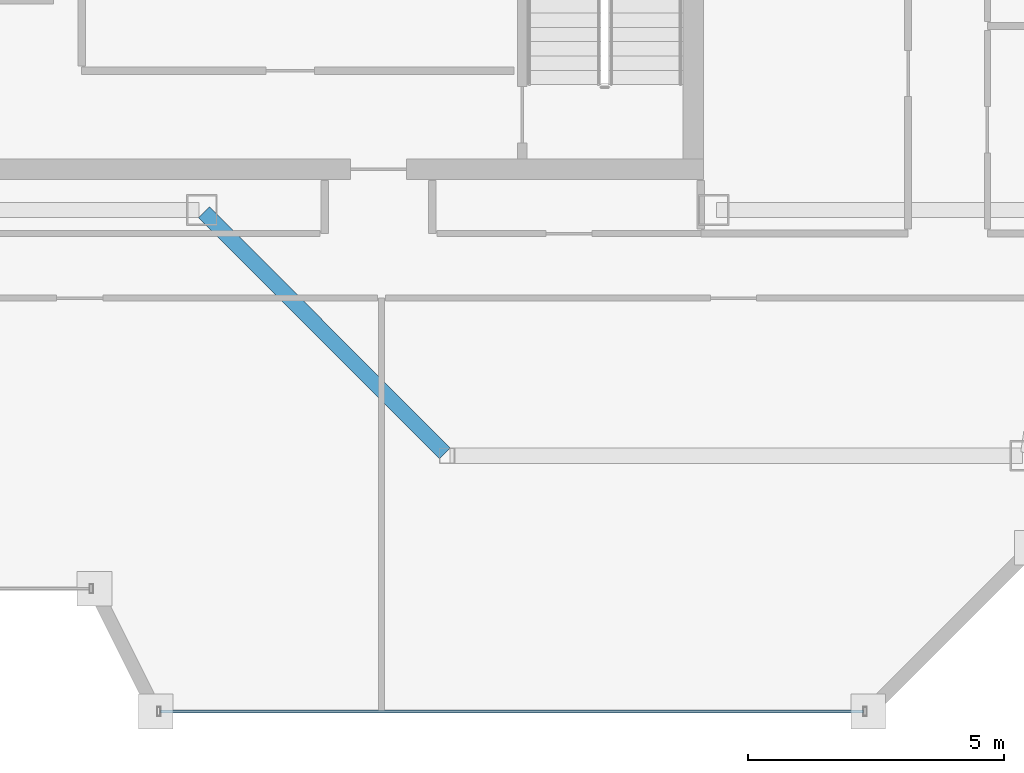
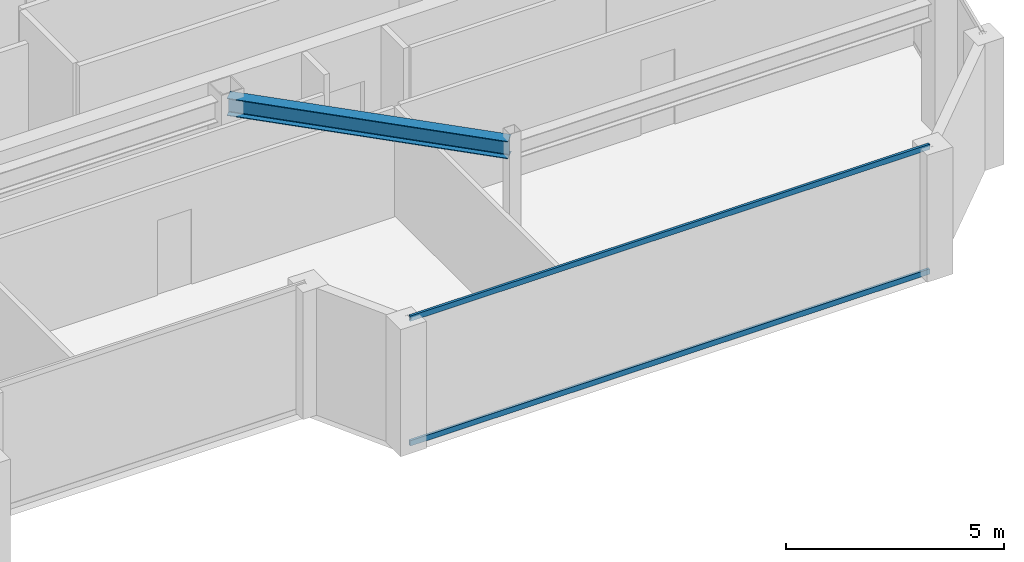
# One storey, part 12 of 23: 2 members, 1 beam, 1 element without a shape of its own.
"""IFC4 building model written with IfcOpenShell, lengths in metres."""

from ifc_helpers import new_model, si_unit, direction, frame, origin, origin_2d, place, context, subcontext, project, spatial, hollow_rectangle, i_section, extrude, material, material_profile, profile_set, type_object, element, aggregate, save


model = new_model("IFC4")

# Units and contexts
model_context = context("Model", 3, precision=1e-05, world=origin(), true_north=direction((0.0, 1.0)))
body_context = subcontext(model_context, "Body", "Model", "MODEL_VIEW")
ifc_project = project(units=[si_unit("LENGTHUNIT", "METRE"), si_unit("AREAUNIT", "SQUARE_METRE"), si_unit("VOLUMEUNIT", "CUBIC_METRE"), si_unit("PLANEANGLEUNIT", "RADIAN"), si_unit("MASSUNIT", "GRAM", prefix="KILO")], contexts=[model_context])

# Site, building, storey
site_placement = place(None, origin())
site = spatial("IfcSite", under=ifc_project, at=site_placement, CompositionType="ELEMENT")
building_placement = place(site_placement, origin())
building = spatial("IfcBuilding", under=site, at=building_placement, Name="Saevonmaru Cultural Tower", CompositionType="ELEMENT")
storey_placement = place(building_placement, frame((0.0, 0.0, 302.800048828125)))
storey = spatial("IfcBuildingStorey", under=building, at=storey_placement, Name="L72", CompositionType="ELEMENT", Elevation=302.800048828125)

# Beam
ifc_material_1 = material(Name="Steel SM355", Category="steel")
ifc_material_profile_1 = material_profile(ifc_material_1, i_section(OverallWidth=0.300048828125, OverallDepth=0.488037109375, WebThickness=0.010986328125, FlangeThickness=0.01806640625, FilletRadius=0.02197265625, at=origin_2d()), Name="H-488x300x11x18")
ifc_profile_set_1 = profile_set([ifc_material_profile_1], Name="Steel SM355")
beam_type = type_object("IfcBeamType", Name="BM-G-H488", PredefinedType="BEAM", material=ifc_profile_set_1)
beam_placement = place(storey_placement, frame((41.149658203125, 37.642578125, 3.305908203125), z_axis=(-0.706538566564, 0.707674539572, 0.0), x_axis=(-0.707674539572, -0.706538566564, 0.0)))
element("IfcBeam", 1, at=beam_placement, inside=storey, type_object=beam_type, Name="L72 East Atrium Girder 1", PredefinedType="BEAM", context=body_context, shape_type="SweptSolid", body=[
    extrude(i_section(OverallWidth=0.300048828125, OverallDepth=0.488037109375, WebThickness=0.010986328125, FlangeThickness=0.01806640625, FilletRadius=0.02197265625, at=origin_2d()), origin(), (0.0, 0.0, 1.0), 6.662353515625),
])

# Curtain wall, members
ifc_material_2 = material(Name="Satin Bronze Anodised Aluminium", Category="aluminium")
curtain_wall_type = type_object("IfcCurtainWallType", Name="CW-TYP-B", PredefinedType="NOTDEFINED", material=ifc_material_2)
curtain_wall_placement = place(storey_placement, origin())
curtain_wall = element("IfcCurtainWall", 2, at=curtain_wall_placement, inside=storey, type_object=curtain_wall_type, Name="L72 Unitised Curtain Wall E6", PredefinedType="NOTDEFINED")
ifc_material_profile_2 = material_profile(ifc_material_2, hollow_rectangle(XDim=0.06494140625, YDim=0.14990234375, WallThickness=0.00390625, at=origin_2d()), Name="ALU-TRAN-150x65x4")
ifc_profile_set_2 = profile_set([ifc_material_profile_2], Name="Satin Bronze Anodised Aluminium")
member_type = type_object("IfcMemberType", Name="TR-CW-150x65", PredefinedType="USERDEFINED", material=ifc_profile_set_2)
member_1_placement = place(storey_placement, frame((35.592529296875, 32.60009765625, 0.032470703125), z_axis=(1.0, 0.0, 0.0), x_axis=(0.0, 1.0, 0.0)))
member_1 = element("IfcMember", 3, at=member_1_placement, type_object=member_type, Name="CW-TW-L72-E6 transom 1.1", ObjectType="TRANSOM", PredefinedType="USERDEFINED", context=body_context, shape_type="SweptSolid", body=[
    extrude(hollow_rectangle(XDim=0.06494140625, YDim=0.14990234375, WallThickness=0.00390625, at=origin_2d()), origin(), (0.0, 0.0, 1.0), 13.73486328125),
])
member_2_placement = place(storey_placement, frame((35.592529296875, 32.60009765625, 3.517333984375), z_axis=(1.0, 0.0, 0.0), x_axis=(0.0, 1.0, 0.0)))
member_2 = element("IfcMember", 4, at=member_2_placement, type_object=member_type, Name="CW-TW-L72-E6 transom 1.2", ObjectType="TRANSOM", PredefinedType="USERDEFINED", context=body_context, shape_type="SweptSolid", body=[
    extrude(hollow_rectangle(XDim=0.06494140625, YDim=0.14990234375, WallThickness=0.00390625, at=origin_2d()), origin(), (0.0, 0.0, 1.0), 13.73486328125),
])
aggregate(curtain_wall, [member_1, member_2])

save(model, "model.ifc")
